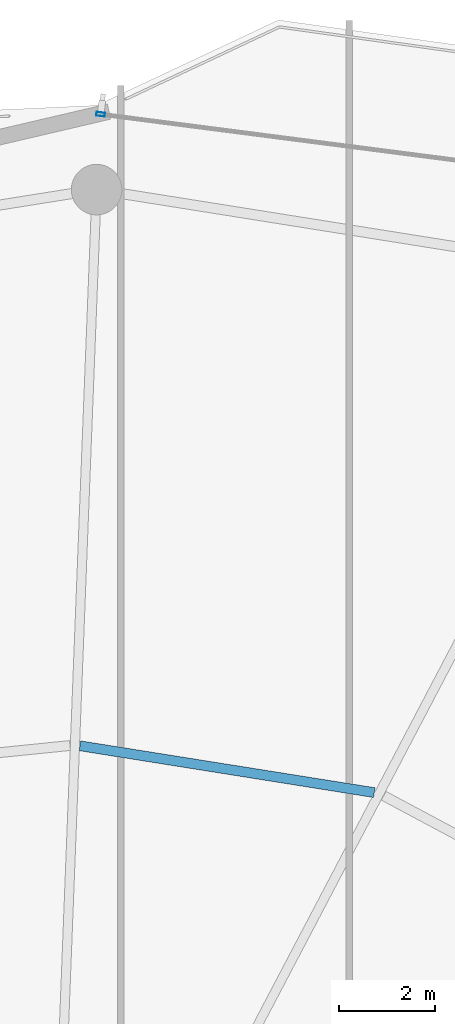
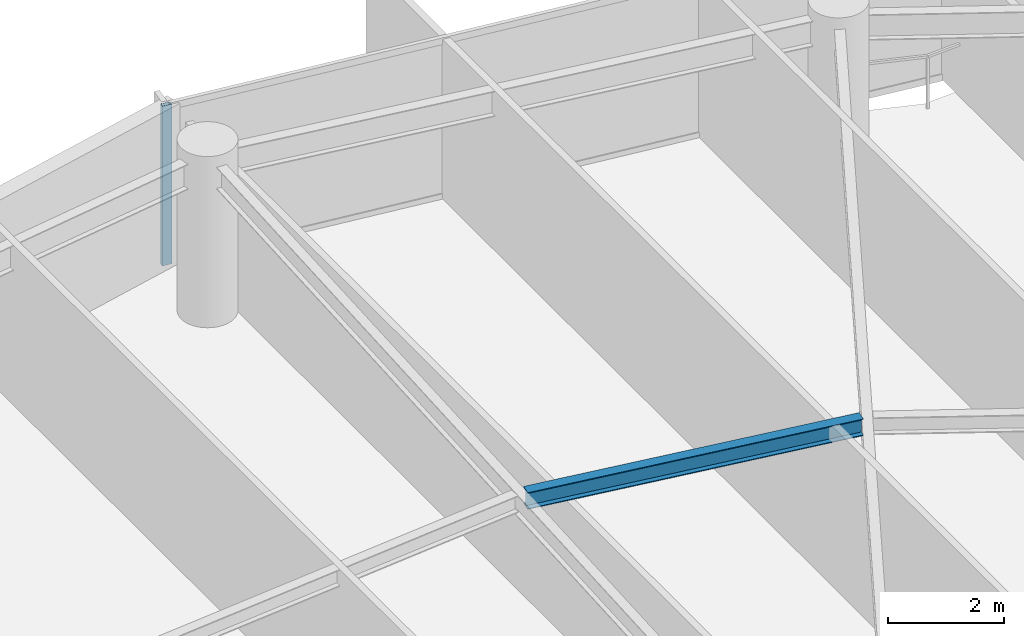
# One storey, part 20 of 31: 1 beam, 1 member, 1 element without a shape of its own.
"""IFC4 building model written with IfcOpenShell, lengths in metres."""

from ifc_helpers import new_model, si_unit, direction, frame, origin, origin_2d, place, context, subcontext, project, spatial, hollow_rectangle, i_section, extrude, material, layer, layer_set, material_profile, profile_set, type_object, element, aggregate, save


model = new_model("IFC4")

# Units and contexts
model_context = context("Model", 3, precision=1e-05, world=origin(), true_north=direction((0.0, 1.0)))
body_context = subcontext(model_context, "Body", "Model", "MODEL_VIEW")
ifc_project = project(units=[si_unit("LENGTHUNIT", "METRE"), si_unit("AREAUNIT", "SQUARE_METRE"), si_unit("VOLUMEUNIT", "CUBIC_METRE"), si_unit("PLANEANGLEUNIT", "RADIAN"), si_unit("MASSUNIT", "GRAM", prefix="KILO")], contexts=[model_context])

# Site, building, storey
site_placement = place(None, origin())
site = spatial("IfcSite", under=ifc_project, at=site_placement, CompositionType="ELEMENT")
building_placement = place(site_placement, origin())
building = spatial("IfcBuilding", under=site, at=building_placement, Name="Kazevale Care Tower and Concert Hall", CompositionType="ELEMENT")
storey_placement = place(building_placement, frame((0.0, 0.0, 210.0)))
storey = spatial("IfcBuildingStorey", under=building, at=storey_placement, Name="L55", CompositionType="ELEMENT", Elevation=210.0)

# Curtain wall, member
ifc_material_1 = material(Name="Aluminium 6063-T6 and Low-E Glass", Category="aluminium")
ifc_layer = layer(ifc_material_1, 0.179931640625)
ifc_layer_set = layer_set([ifc_layer], Name="Aluminium 6063-T6 and Low-E Glass")
curtain_wall_type = type_object("IfcCurtainWallType", Name="Waist & Upper Residential Curtain Wall CW-4", PredefinedType="NOTDEFINED", material=ifc_layer_set)
curtain_wall_placement = place(storey_placement, origin())
curtain_wall = element("IfcCurtainWall", 1, at=curtain_wall_placement, inside=storey, type_object=curtain_wall_type, Name="cw:L55:f16", PredefinedType="NOTDEFINED")
ifc_material_2 = material(Name="Aluminium 6063-T6", Category="aluminium")
ifc_material_profile_1 = material_profile(ifc_material_2, hollow_rectangle(XDim=0.080078125, YDim=0.179931640625, WallThickness=0.0048828125, at=origin_2d()), Name="ALU80x180x5")
ifc_profile_set_1 = profile_set([ifc_material_profile_1], Name="Aluminium 6063-T6")
member_type = type_object("IfcMemberType", Name="CW-4 Mullion ALU80x180x5", PredefinedType="MULLION", material=ifc_profile_set_1)
member_placement = place(storey_placement, frame((45.083740234375, 63.616943359375, 0.0), z_axis=(0.0, 0.0, 1.0), x_axis=(0.128098132904, 0.991761497713, 0.0)))
member = element("IfcMember", 2, at=member_placement, type_object=member_type, Name="CW-4 mullion 1", PredefinedType="MULLION", context=body_context, shape_type="SweptSolid", body=[
    extrude(hollow_rectangle(XDim=0.080078125, YDim=0.179931640625, WallThickness=0.0048828125, at=origin_2d()), origin(), (0.0, 0.0, 1.0), 3.360107421875),
])
aggregate(curtain_wall, [member])

# Beam
ifc_material_3 = material(Name="Steel ASTM A572 Gr 50", Category="steel")
ifc_material_profile_2 = material_profile(ifc_material_3, i_section(OverallWidth=0.205078125, OverallDepth=0.35400390625, WebThickness=0.009521484375, FlangeThickness=0.016845703125, at=origin_2d()), Name="W360x79")
ifc_profile_set_2 = profile_set([ifc_material_profile_2], Name="Steel ASTM A572 Gr 50")
beam_type = type_object("IfcBeamType", Name="Secondary Floor Joist W360x79", PredefinedType="JOIST", material=ifc_profile_set_2)
beam_placement = place(storey_placement, frame((50.77099609375, 49.51806640625, 3.18310546875), z_axis=(-0.987586560603, 0.157075731152, 0.0), x_axis=(-0.157075731152, -0.987586560603, 0.0)))
element("IfcBeam", 3, at=beam_placement, inside=storey, type_object=beam_type, Name="beam:L55:joist:04", PredefinedType="JOIST", context=body_context, shape_type="SweptSolid", body=[
    extrude(i_section(OverallWidth=0.205078125, OverallDepth=0.35400390625, WebThickness=0.009521484375, FlangeThickness=0.016845703125, at=origin_2d()), origin(), (0.0, 0.0, 1.0), 6.19384765625),
])

save(model, "model.ifc")
